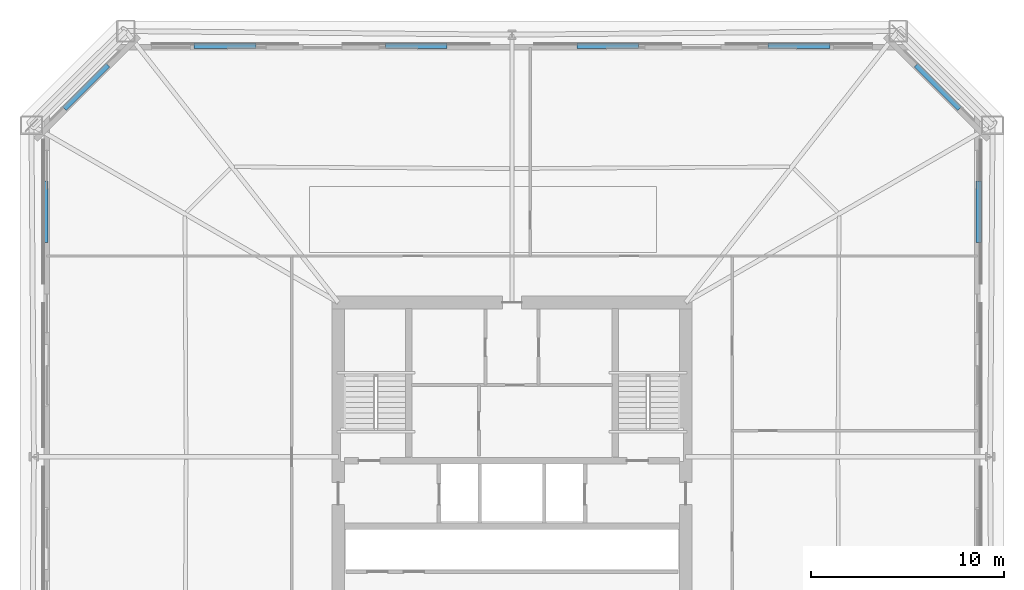
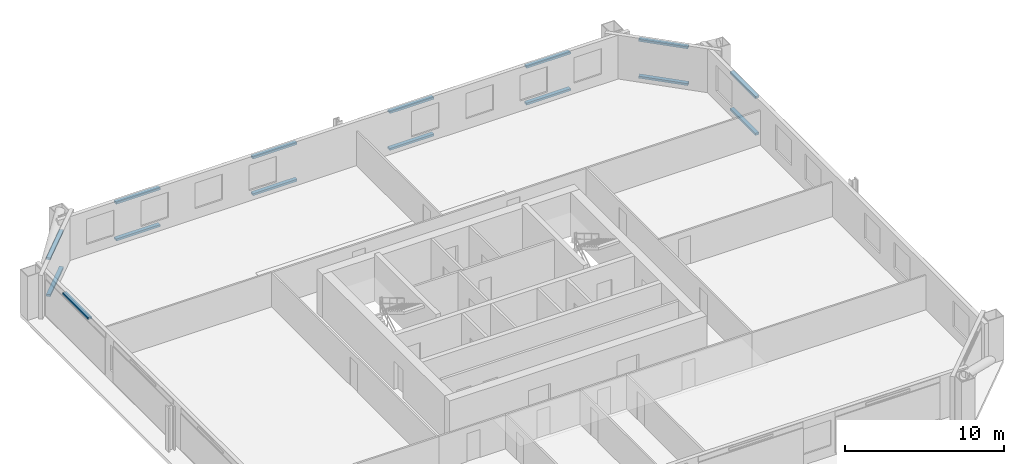
# One storey, part 7 of 9: 15 discrete accessories.
"""IFC4 building model written with IfcOpenShell, lengths in metres."""

from ifc_helpers import new_model, si_unit, direction, frame, origin, origin_2d, place, context, subcontext, project, spatial, rectangle, extrude, material, type_object, element, save


model = new_model("IFC4")

# Units and contexts
model_context = context("Model", 3, precision=1e-05, world=origin(), true_north=direction((0.0, 1.0)))
body_context = subcontext(model_context, "Body", "Model", "MODEL_VIEW")
ifc_project = project(units=[si_unit("LENGTHUNIT", "METRE"), si_unit("AREAUNIT", "SQUARE_METRE"), si_unit("VOLUMEUNIT", "CUBIC_METRE"), si_unit("PLANEANGLEUNIT", "RADIAN"), si_unit("MASSUNIT", "GRAM", prefix="KILO")], contexts=[model_context])

# Site, building, storey
site_placement = place(None, origin())
site = spatial("IfcSite", under=ifc_project, at=site_placement, CompositionType="ELEMENT")
building_placement = place(site_placement, origin())
building = spatial("IfcBuilding", under=site, at=building_placement, Name="Caelvoria Tower", CompositionType="ELEMENT")
storey_placement = place(building_placement, frame((0.0, 0.0, 53.199951171875)))
storey = spatial("IfcBuildingStorey", under=building, at=storey_placement, Name="L13", CompositionType="ELEMENT", Elevation=53.199951171875)

# Discrete accessories
ifc_material = material(Name="Anodised Bronze Stainless Bracket", Category="bronze")
discrete_accessory_type = type_object("IfcDiscreteAccessoryType", Name="Solar Screen Outrigger Support Bracket", PredefinedType="BRACKET", material=ifc_material)
for number, where, z_axis, x_axis, name in (
    (1, (70.197021484375, 44.705078125, 0.240234375), (0.0, 0.0, 1.0), (0.0, 1.0, 0.0), "Solar Screen Bracket L13-E2-03"),
    (2, (70.197021484375, 44.705078125, 3.06005859375), (0.0, 0.0, 1.0), (0.0, 1.0, 0.0), "Upper Screen Band Bracket L13-E2-03"),
    (3, (68.07861328125, 51.1787109375, 0.240234375), (0.0, 0.0, 1.0), (-0.707106781187, 0.707106781187, 0.0), "Solar Screen Bracket L13-E3-00"),
    (4, (68.07861328125, 51.1787109375, 3.06005859375), (0.0, 0.0, 1.0), (-0.707106781187, 0.707106781187, 0.0), "Upper Screen Band Bracket L13-E3-00"),
    (5, (60.8798828125, 53.297119140625, 0.240234375), (0.0, 0.0, 1.0), (-1.0, 0.0, 0.0), "Solar Screen Bracket L13-E4-00"),
    (6, (60.8798828125, 53.297119140625, 3.06005859375), (0.0, 0.0, 1.0), (-1.0, 0.0, 0.0), "Upper Screen Band Bracket L13-E4-00"),
    (7, (50.9599609375, 53.297119140625, 0.240234375), (0.0, 0.0, 1.0), (-1.0, 0.0, 0.0), "Solar Screen Bracket L13-E4-01"),
    (8, (50.9599609375, 53.297119140625, 3.06005859375), (0.0, 0.0, 1.0), (-1.0, 0.0, 0.0), "Upper Screen Band Bracket L13-E4-01"),
    (9, (41.0400390625, 53.297119140625, 0.240234375), (0.0, 0.0, 1.0), (-1.0, 0.0, 0.0), "Solar Screen Bracket L13-E4-02"),
    (10, (41.0400390625, 53.297119140625, 3.06005859375), (0.0, 0.0, 1.0), (-1.0, 0.0, 0.0), "Upper Screen Band Bracket L13-E4-02"),
    (11, (31.1201171875, 53.297119140625, 0.240234375), (0.0, 0.0, 1.0), (-1.0, 0.0, 0.0), "Solar Screen Bracket L13-E4-03"),
    (12, (31.1201171875, 53.297119140625, 3.06005859375), (0.0, 0.0, 1.0), (-1.0, 0.0, 0.0), "Upper Screen Band Bracket L13-E4-03"),
    (13, (23.92138671875, 51.1787109375, 0.240234375), (0.0, 0.0, 1.0), (-0.707106781187, -0.707106781187, 0.0), "Solar Screen Bracket L13-E5-00"),
    (14, (23.92138671875, 51.1787109375, 3.06005859375), (0.0, 0.0, 1.0), (-0.707106781187, -0.707106781187, 0.0), "Upper Screen Band Bracket L13-E5-00"),
    (15, (21.802978515625, 44.705078125, 3.06005859375), (0.0, 0.0, 1.0), (0.0, -1.0, 0.0), "Upper Screen Band Bracket L13-E6-00"),
):
    element("IfcDiscreteAccessory", number, at=place(storey_placement, frame(where, z_axis=z_axis, x_axis=x_axis)), inside=storey, type_object=discrete_accessory_type, Name=name, PredefinedType="BRACKET", context=body_context, shape_type="SweptSolid", body=[
        extrude(rectangle(XDim=3.199951171875, YDim=0.280029296875, at=origin_2d()), origin(), (0.0, 0.0, 1.0), 0.159912109375),
    ])

save(model, "model.ifc")
